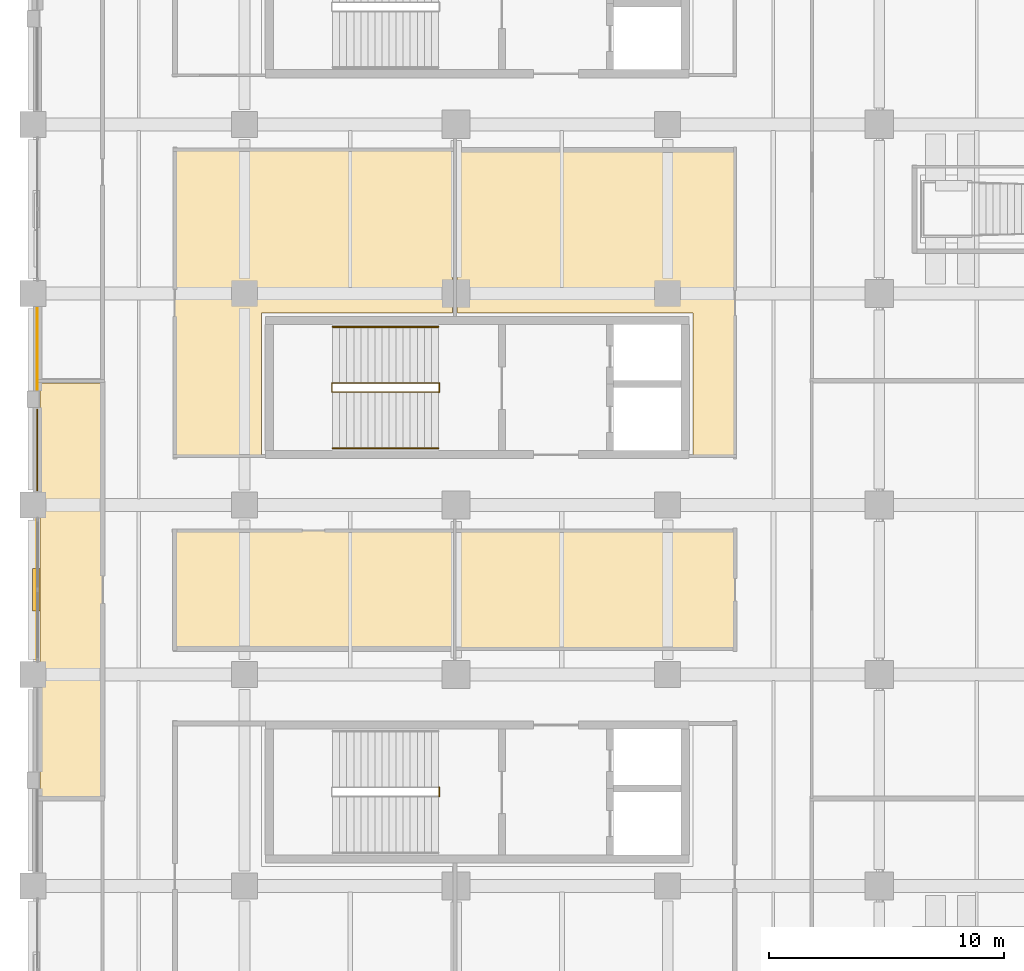
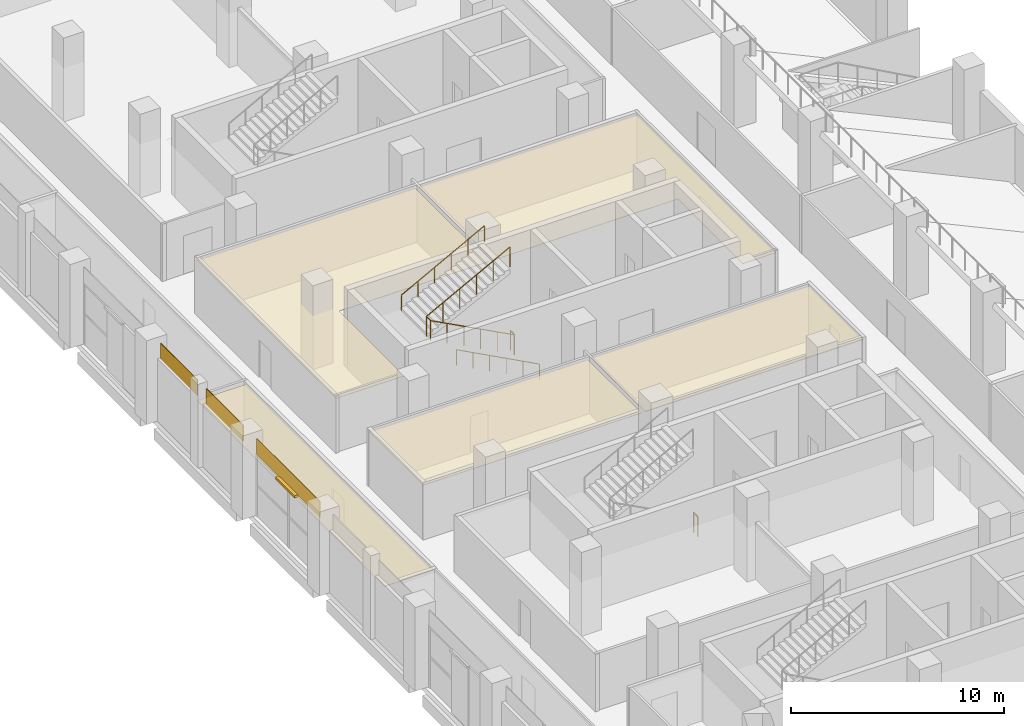
# One storey, part 81 of 100: 8 coverings, 5 railings, 1 shading device.
"""IFC4 building model written with IfcOpenShell, lengths in metres."""

from ifc_helpers import new_model, si_unit, direction, frame, origin, origin_2d, place, context, subcontext, project, spatial, polyline, rectangle, circle, outline, extrude, material, layer, layer_set, type_object, element, save


model = new_model("IFC4")

# Units and contexts
model_context = context("Model", 3, precision=1e-05, world=origin(), true_north=direction((0.0, 1.0)))
body_context = subcontext(model_context, "Body", "Model", "MODEL_VIEW")
ifc_project = project(units=[si_unit("LENGTHUNIT", "METRE"), si_unit("AREAUNIT", "SQUARE_METRE"), si_unit("VOLUMEUNIT", "CUBIC_METRE"), si_unit("PLANEANGLEUNIT", "RADIAN"), si_unit("MASSUNIT", "GRAM", prefix="KILO"), si_unit("THERMODYNAMICTEMPERATUREUNIT", "KELVIN"), si_unit("POWERUNIT", "WATT")], contexts=[model_context])

# Site, building, storey
site_placement = place(None, origin())
site = spatial("IfcSite", under=ifc_project, at=site_placement, CompositionType="ELEMENT")
building_placement = place(site_placement, origin())
building = spatial("IfcBuilding", under=site, at=building_placement, Name="Sindhuravela Promenade Stadium", CompositionType="ELEMENT")
storey_placement = place(building_placement, frame((0.0, 0.0, 4.800048828125)))
storey = spatial("IfcBuildingStorey", under=building, at=storey_placement, Name="L01", CompositionType="ELEMENT", Elevation=4.800048828125)

# Coverings
ifc_material_1 = material(Name="Acoustic mineral-fibre ceiling tile", Category="gypsum")
ifc_layer_1 = layer(ifc_material_1, 0.02490234375)
ifc_layer_set_1 = layer_set([ifc_layer_1], Name="Acoustic mineral-fibre ceiling tile")
covering_type_1 = type_object("IfcCoveringType", Name="CV-CEIL-1", PredefinedType="CEILING", material=ifc_layer_set_1)
covering_1_placement = place(storey_placement, frame((0.0, 0.0, 3.050048828125)))
element("IfcCovering", 1, at=covering_1_placement, inside=storey, type_object=covering_type_1, Name="Acoustic ceiling Supporters Refreshment Kiosk W1 3", PredefinedType="CEILING", context=body_context, shape_type="SweptSolid", body=[
    extrude(outline(polyline([(6.0400390625, 86.669921875), (6.0380859375, 86.670166015625), (6.0361328125, 86.67041015625), (6.0341796875, 86.6708984375), (6.0322265625, 86.67138671875), (6.030517578125, 86.67236328125), (6.02880859375, 86.67333984375), (6.02734375, 86.674560546875), (6.02587890625, 86.67578125), (6.0244140625, 86.67724609375), (6.0234375, 86.678955078125), (6.0224609375, 86.6806640625), (6.021484375, 86.682373046875), (6.02099609375, 86.68408203125), (6.0205078125, 86.68603515625), (6.02001953125, 86.68798828125), (6.02001953125, 86.68994140625), (6.02001953125, 99.7099609375), (6.02001953125, 99.7119140625), (6.0205078125, 99.7138671875), (6.02099609375, 99.7158203125), (6.021484375, 99.7177734375), (6.0224609375, 99.719482421875), (6.0234375, 99.72119140625), (6.0244140625, 99.72265625), (6.02587890625, 99.72412109375), (6.02734375, 99.7255859375), (6.02880859375, 99.7265625), (6.030517578125, 99.7275390625), (6.0322265625, 99.728515625), (6.0341796875, 99.72900390625), (6.0361328125, 99.7294921875), (6.0380859375, 99.72998046875), (6.0400390625, 99.72998046875), (17.830078125, 99.72998046875), (17.83203125, 99.72998046875), (17.833984375, 99.7294921875), (17.835693359375, 99.72900390625), (17.837646484375, 99.728515625), (17.83935546875, 99.7275390625), (17.841064453125, 99.7265625), (17.8427734375, 99.7255859375), (17.843994140625, 99.72412109375), (17.845458984375, 99.72265625), (17.8466796875, 99.72119140625), (17.84765625, 99.719482421875), (17.848388671875, 99.7177734375), (17.84912109375, 99.7158203125), (17.849609375, 99.7138671875), (17.849853515625, 99.7119140625), (17.85009765625, 99.7099609375), (17.85009765625, 92.800048828125), (17.849853515625, 92.798095703125), (17.849609375, 92.796142578125), (17.84912109375, 92.794189453125), (17.848388671875, 92.792236328125), (17.84765625, 92.79052734375), (17.8466796875, 92.788818359375), (17.845458984375, 92.787353515625), (17.843994140625, 92.785888671875), (17.8427734375, 92.784423828125), (17.841064453125, 92.783447265625), (17.83935546875, 92.782470703125), (17.837646484375, 92.781494140625), (17.835693359375, 92.781005859375), (17.833984375, 92.780517578125), (17.83203125, 92.780029296875), (17.830078125, 92.780029296875), (9.719970703125, 92.780029296875), (9.719970703125, 86.68994140625), (9.719970703125, 86.68798828125), (9.719482421875, 86.68603515625), (9.718994140625, 86.68408203125), (9.718505859375, 86.682373046875), (9.717529296875, 86.6806640625), (9.716552734375, 86.678955078125), (9.715576171875, 86.67724609375), (9.714111328125, 86.67578125), (9.712646484375, 86.674560546875), (9.711181640625, 86.67333984375), (9.70947265625, 86.67236328125), (9.707763671875, 86.67138671875), (9.705810546875, 86.6708984375), (9.703857421875, 86.67041015625), (9.701904296875, 86.670166015625), (9.699951171875, 86.669921875), (6.0400390625, 86.669921875)])), origin(), (0.0, 0.0, 1.0), 0.02490234375),
])
covering_2_placement = place(storey_placement, frame((0.0, 0.0, 3.050048828125)))
element("IfcCovering", 2, at=covering_2_placement, inside=storey, type_object=covering_type_1, Name="Acoustic ceiling Matchday Steward Post West 5", PredefinedType="CEILING", context=body_context, shape_type="SweptSolid", body=[
    extrude(outline(polyline([(29.860107421875, 99.72998046875), (29.862060546875, 99.72998046875), (29.864013671875, 99.7294921875), (29.86572265625, 99.72900390625), (29.86767578125, 99.728515625), (29.869384765625, 99.7275390625), (29.87109375, 99.7265625), (29.872802734375, 99.7255859375), (29.8740234375, 99.72412109375), (29.87548828125, 99.72265625), (29.876708984375, 99.72119140625), (29.877685546875, 99.719482421875), (29.87841796875, 99.7177734375), (29.879150390625, 99.7158203125), (29.879638671875, 99.7138671875), (29.8798828125, 99.7119140625), (29.8798828125, 99.7099609375), (29.8798828125, 86.68994140625), (29.8798828125, 86.68798828125), (29.879638671875, 86.68603515625), (29.879150390625, 86.68408203125), (29.87841796875, 86.682373046875), (29.877685546875, 86.6806640625), (29.876708984375, 86.678955078125), (29.87548828125, 86.67724609375), (29.8740234375, 86.67578125), (29.872802734375, 86.674560546875), (29.87109375, 86.67333984375), (29.869384765625, 86.67236328125), (29.86767578125, 86.67138671875), (29.86572265625, 86.6708984375), (29.864013671875, 86.67041015625), (29.862060546875, 86.670166015625), (29.860107421875, 86.669921875), (28.10009765625, 86.669921875), (28.097900390625, 86.670166015625), (28.09619140625, 86.67041015625), (28.09423828125, 86.6708984375), (28.09228515625, 86.67138671875), (28.090576171875, 86.67236328125), (28.0888671875, 86.67333984375), (28.08740234375, 86.674560546875), (28.0859375, 86.67578125), (28.08447265625, 86.67724609375), (28.08349609375, 86.678955078125), (28.08251953125, 86.6806640625), (28.08154296875, 86.682373046875), (28.080810546875, 86.68408203125), (28.080322265625, 86.68603515625), (28.080078125, 86.68798828125), (28.080078125, 86.68994140625), (28.080078125, 92.780029296875), (18.070068359375, 92.780029296875), (18.068115234375, 92.780029296875), (18.066162109375, 92.780517578125), (18.064208984375, 92.781005859375), (18.062255859375, 92.781494140625), (18.060546875, 92.782470703125), (18.058837890625, 92.783447265625), (18.057373046875, 92.784423828125), (18.055908203125, 92.785888671875), (18.054443359375, 92.787353515625), (18.053466796875, 92.788818359375), (18.052490234375, 92.79052734375), (18.051513671875, 92.792236328125), (18.05078125, 92.794189453125), (18.05029296875, 92.796142578125), (18.050048828125, 92.798095703125), (18.050048828125, 92.800048828125), (18.050048828125, 99.7099609375), (18.050048828125, 99.7119140625), (18.05029296875, 99.7138671875), (18.05078125, 99.7158203125), (18.051513671875, 99.7177734375), (18.052490234375, 99.719482421875), (18.053466796875, 99.72119140625), (18.054443359375, 99.72265625), (18.055908203125, 99.72412109375), (18.057373046875, 99.7255859375), (18.058837890625, 99.7265625), (18.060546875, 99.7275390625), (18.062255859375, 99.728515625), (18.064208984375, 99.72900390625), (18.066162109375, 99.7294921875), (18.068115234375, 99.72998046875), (18.070068359375, 99.72998046875), (29.860107421875, 99.72998046875)])), origin(), (0.0, 0.0, 1.0), 0.02490234375),
])
covering_3_placement = place(storey_placement, frame((0.0, 0.0, 3.050048828125)))
element("IfcCovering", 3, at=covering_3_placement, inside=storey, type_object=covering_type_1, Name="Acoustic ceiling Accessible WC West L01 7", PredefinedType="CEILING", context=body_context, shape_type="SweptSolid", body=[
    extrude(outline(polyline([(6.02001953125, 83.510009765625), (6.02001953125, 83.511962890625), (6.0205078125, 83.513916015625), (6.02099609375, 83.515869140625), (6.021484375, 83.517578125), (6.0224609375, 83.519287109375), (6.0234375, 83.52099609375), (6.0244140625, 83.522705078125), (6.02587890625, 83.524169921875), (6.02734375, 83.525390625), (6.02880859375, 83.526611328125), (6.030517578125, 83.527587890625), (6.0322265625, 83.528564453125), (6.0341796875, 83.529052734375), (6.0361328125, 83.529541015625), (6.0380859375, 83.52978515625), (6.0400390625, 83.530029296875), (17.830078125, 83.530029296875), (17.83203125, 83.52978515625), (17.833984375, 83.529541015625), (17.835693359375, 83.529052734375), (17.837646484375, 83.528564453125), (17.83935546875, 83.527587890625), (17.841064453125, 83.526611328125), (17.8427734375, 83.525390625), (17.843994140625, 83.524169921875), (17.845458984375, 83.522705078125), (17.8466796875, 83.52099609375), (17.84765625, 83.519287109375), (17.848388671875, 83.517578125), (17.84912109375, 83.515869140625), (17.849609375, 83.513916015625), (17.849853515625, 83.511962890625), (17.85009765625, 83.510009765625), (17.85009765625, 78.489990234375), (17.849853515625, 78.488037109375), (17.849609375, 78.486083984375), (17.84912109375, 78.484130859375), (17.848388671875, 78.482421875), (17.84765625, 78.480712890625), (17.8466796875, 78.47900390625), (17.845458984375, 78.477294921875), (17.843994140625, 78.475830078125), (17.8427734375, 78.474609375), (17.841064453125, 78.473388671875), (17.83935546875, 78.472412109375), (17.837646484375, 78.471435546875), (17.835693359375, 78.470947265625), (17.833984375, 78.470458984375), (17.83203125, 78.47021484375), (17.830078125, 78.469970703125), (6.0400390625, 78.469970703125), (6.0380859375, 78.47021484375), (6.0361328125, 78.470458984375), (6.0341796875, 78.470947265625), (6.0322265625, 78.471435546875), (6.030517578125, 78.472412109375), (6.02880859375, 78.473388671875), (6.02734375, 78.474609375), (6.02587890625, 78.475830078125), (6.0244140625, 78.477294921875), (6.0234375, 78.47900390625), (6.0224609375, 78.480712890625), (6.021484375, 78.482421875), (6.02099609375, 78.484130859375), (6.0205078125, 78.486083984375), (6.02001953125, 78.488037109375), (6.02001953125, 78.489990234375), (6.02001953125, 83.510009765625)])), origin(), (0.0, 0.0, 1.0), 0.02490234375),
])
covering_4_placement = place(storey_placement, frame((0.0, 0.0, 3.050048828125)))
element("IfcCovering", 4, at=covering_4_placement, inside=storey, type_object=covering_type_1, Name="Acoustic ceiling Spectator First Aid Room L01 13", PredefinedType="CEILING", context=body_context, shape_type="SweptSolid", body=[
    extrude(outline(polyline([(0.300048828125, 89.76611328125), (0.300048828125, 89.76806640625), (0.30029296875, 89.77001953125), (0.30078125, 89.771728515625), (0.301513671875, 89.773681640625), (0.302490234375, 89.775390625), (0.303466796875, 89.777099609375), (0.304443359375, 89.77880859375), (0.305908203125, 89.780029296875), (0.307373046875, 89.781494140625), (0.308837890625, 89.78271484375), (0.310546875, 89.78369140625), (0.312255859375, 89.784423828125), (0.314208984375, 89.78515625), (0.316162109375, 89.78564453125), (0.318115234375, 89.785888671875), (0.320068359375, 89.785888671875), (2.9599609375, 89.785888671875), (2.9619140625, 89.785888671875), (2.9638671875, 89.78564453125), (2.9658203125, 89.78515625), (2.9677734375, 89.784423828125), (2.969482421875, 89.78369140625), (2.97119140625, 89.78271484375), (2.97265625, 89.781494140625), (2.97412109375, 89.780029296875), (2.9755859375, 89.77880859375), (2.9765625, 89.777099609375), (2.9775390625, 89.775390625), (2.978515625, 89.773681640625), (2.97900390625, 89.771728515625), (2.9794921875, 89.77001953125), (2.97998046875, 89.76806640625), (2.97998046875, 89.76611328125), (2.97998046875, 72.23388671875), (2.97998046875, 72.23193359375), (2.9794921875, 72.22998046875), (2.97900390625, 72.228271484375), (2.978515625, 72.226318359375), (2.9775390625, 72.224609375), (2.9765625, 72.222900390625), (2.9755859375, 72.22119140625), (2.97412109375, 72.219970703125), (2.97265625, 72.218505859375), (2.97119140625, 72.21728515625), (2.969482421875, 72.21630859375), (2.9677734375, 72.215576171875), (2.9658203125, 72.21484375), (2.9638671875, 72.21435546875), (2.9619140625, 72.214111328125), (2.9599609375, 72.214111328125), (0.320068359375, 72.214111328125), (0.318115234375, 72.214111328125), (0.316162109375, 72.21435546875), (0.314208984375, 72.21484375), (0.312255859375, 72.215576171875), (0.310546875, 72.21630859375), (0.308837890625, 72.21728515625), (0.307373046875, 72.218505859375), (0.305908203125, 72.219970703125), (0.304443359375, 72.22119140625), (0.303466796875, 72.222900390625), (0.302490234375, 72.224609375), (0.301513671875, 72.226318359375), (0.30078125, 72.228271484375), (0.30029296875, 72.22998046875), (0.300048828125, 72.23193359375), (0.300048828125, 72.23388671875), (0.300048828125, 89.76611328125)])), origin(), (0.0, 0.0, 1.0), 0.02490234375),
])
ifc_layer_2 = layer(ifc_material_1, 0.044921875)
ifc_layer_set_2 = layer_set([ifc_layer_2], Name="Acoustic mineral-fibre ceiling tile")
covering_type_2 = type_object("IfcCoveringType", Name="CV-CEIL-2", PredefinedType="CEILING", material=ifc_layer_set_2)
covering_5_placement = place(storey_placement, frame((0.0, 0.0, 3.050048828125)))
element("IfcCovering", 5, at=covering_5_placement, inside=storey, type_object=covering_type_2, Name="Acoustic ceiling Public Toilet Block West L01 8", PredefinedType="CEILING", context=body_context, shape_type="SweptSolid", body=[
    extrude(outline(polyline([(29.860107421875, 83.530029296875), (29.862060546875, 83.52978515625), (29.864013671875, 83.529541015625), (29.86572265625, 83.529052734375), (29.86767578125, 83.528564453125), (29.869384765625, 83.527587890625), (29.87109375, 83.526611328125), (29.872802734375, 83.525390625), (29.8740234375, 83.524169921875), (29.87548828125, 83.522705078125), (29.876708984375, 83.52099609375), (29.877685546875, 83.519287109375), (29.87841796875, 83.517578125), (29.879150390625, 83.515869140625), (29.879638671875, 83.513916015625), (29.8798828125, 83.511962890625), (29.8798828125, 83.510009765625), (29.8798828125, 78.489990234375), (29.8798828125, 78.488037109375), (29.879638671875, 78.486083984375), (29.879150390625, 78.484130859375), (29.87841796875, 78.482421875), (29.877685546875, 78.480712890625), (29.876708984375, 78.47900390625), (29.87548828125, 78.477294921875), (29.8740234375, 78.475830078125), (29.872802734375, 78.474609375), (29.87109375, 78.473388671875), (29.869384765625, 78.472412109375), (29.86767578125, 78.471435546875), (29.86572265625, 78.470947265625), (29.864013671875, 78.470458984375), (29.862060546875, 78.47021484375), (29.860107421875, 78.469970703125), (18.070068359375, 78.469970703125), (18.068115234375, 78.47021484375), (18.066162109375, 78.470458984375), (18.064208984375, 78.470947265625), (18.062255859375, 78.471435546875), (18.060546875, 78.472412109375), (18.058837890625, 78.473388671875), (18.057373046875, 78.474609375), (18.055908203125, 78.475830078125), (18.054443359375, 78.477294921875), (18.053466796875, 78.47900390625), (18.052490234375, 78.480712890625), (18.051513671875, 78.482421875), (18.05078125, 78.484130859375), (18.05029296875, 78.486083984375), (18.050048828125, 78.488037109375), (18.050048828125, 78.489990234375), (18.050048828125, 83.510009765625), (18.050048828125, 83.511962890625), (18.05029296875, 83.513916015625), (18.05078125, 83.515869140625), (18.051513671875, 83.517578125), (18.052490234375, 83.519287109375), (18.053466796875, 83.52099609375), (18.054443359375, 83.522705078125), (18.055908203125, 83.524169921875), (18.057373046875, 83.525390625), (18.058837890625, 83.526611328125), (18.060546875, 83.527587890625), (18.062255859375, 83.528564453125), (18.064208984375, 83.529052734375), (18.066162109375, 83.529541015625), (18.068115234375, 83.52978515625), (18.070068359375, 83.530029296875), (29.860107421875, 83.530029296875)])), origin(), (0.0, 0.0, 1.0), 0.044921875),
])
ifc_material_2 = material(Name="Polychrome trencadis ceramic mosaic", Category="masonry")
ifc_layer_3 = layer(ifc_material_2, 0.034912109375)
ifc_layer_set_3 = layer_set([ifc_layer_3], Name="Polychrome trencadis ceramic mosaic")
covering_type_3 = type_object("IfcCoveringType", Name="CV-TRENC-1", PredefinedType="CLADDING", material=ifc_layer_set_3)
covering_6_placement = place(storey_placement, frame((0.179931640625, 81.0, 3.55517578125), z_axis=(0.0, 0.0, 1.0), x_axis=(0.0, 1.0, 0.0)))
element("IfcCovering", 6, at=covering_6_placement, inside=storey, type_object=covering_type_3, Name="Trencadis ceramic mosaic spandrel frieze WEST L01-20", PredefinedType="CLADDING", context=body_context, shape_type="SweptSolid", body=[
    extrude(rectangle(XDim=5.969970703125, YDim=0.034912109375, at=origin_2d()), origin(), (0.0, 0.0, 1.0), 0.905029296875),
])
covering_7_placement = place(storey_placement, frame((0.179931640625, 91.25, 3.55517578125), z_axis=(0.0, 0.0, 1.0), x_axis=(0.0, 1.0, 0.0)))
element("IfcCovering", 7, at=covering_7_placement, inside=storey, type_object=covering_type_3, Name="Trencadis ceramic mosaic spandrel frieze WEST L01-22", PredefinedType="CLADDING", context=body_context, shape_type="SweptSolid", body=[
    extrude(rectangle(XDim=3.469970703125, YDim=0.034912109375, at=origin_2d()), origin(), (0.0, 0.0, 1.0), 0.905029296875),
])
ifc_layer_4 = layer(ifc_material_2, 0.050048828125)
ifc_layer_set_4 = layer_set([ifc_layer_4], Name="Polychrome trencadis ceramic mosaic")
covering_type_4 = type_object("IfcCoveringType", Name="CV-TRENC-2", PredefinedType="CLADDING", material=ifc_layer_set_4)
covering_8_placement = place(storey_placement, frame((0.179931640625, 86.949951171875, 3.55517578125), z_axis=(0.0, 0.0, 1.0), x_axis=(0.0, 1.0, 0.0)))
element("IfcCovering", 8, at=covering_8_placement, inside=storey, type_object=covering_type_4, Name="Trencadis ceramic mosaic spandrel frieze WEST L01-21", PredefinedType="CLADDING", context=body_context, shape_type="SweptSolid", body=[
    extrude(rectangle(XDim=3.469970703125, YDim=0.050048828125, at=origin_2d()), origin(), (0.0, 0.0, 1.0), 0.905029296875),
])

# Railings
ifc_material_3 = material(Name="Architectural wrought steel E350", Category="steel")
railing_type_1 = type_object("IfcRailingType", Name="RL-GRD-1150", PredefinedType="GUARDRAIL", material=ifc_material_3)
railing_1_placement = place(storey_placement, frame((17.280029296875, 72.2099609375, 0.0)))
element("IfcRailing", 9, at=railing_1_placement, inside=storey, type_object=railing_type_1, Name="Stair ST02 landing well slot guard (L01)", PredefinedType="GUARDRAIL", context=body_context, shape_type="SweptSolid", body=[
    extrude(circle(Radius=0.02392578125, at=origin_2d()), frame((0.0, 0.0, 1.1259765625), z_axis=(0.0, 1.0, 0.0), x_axis=(-1.0, 0.0, 0.0)), (0.0, 0.0, 1.0), 0.380126953125),
    extrude(circle(Radius=0.02099609375, at=origin_2d()), origin(), (0.0, 0.0, 1.0), 1.101806640625),
    extrude(circle(Radius=0.02099609375, at=origin_2d()), frame((0.0, 0.380126953125, 0.0)), (0.0, 0.0, 1.0), 1.101806640625),
])
railing_2_placement = place(storey_placement, frame((17.25, 89.409912109375, 0.0)))
element("IfcRailing", 10, at=railing_2_placement, inside=storey, type_object=railing_type_1, Name="Stair ST03 inner well guard (L01)", PredefinedType="GUARDRAIL", context=body_context, shape_type="SweptSolid", body=[
    extrude(circle(Radius=0.02392578125, at=origin_2d()), frame((0.0, 0.0, 1.1259765625), z_axis=(-0.8836546633431795, 0.0, 0.46813933390802775), x_axis=(0.0, -1.0, 0.0)), (0.0, 0.0, 1.0), 5.12646484375),
    extrude(circle(Radius=0.02392578125, at=origin_2d()), frame((-4.530029296875, 0.0, 3.52587890625), z_axis=(0.0, 1.0, 0.0), x_axis=(-1.0, 0.0, 0.0)), (0.0, 0.0, 1.0), 0.380126953125),
    extrude(circle(Radius=0.02392578125, at=origin_2d()), frame((-4.530029296875, 0.380126953125, 3.52587890625), z_axis=(0.8836349624059475, 0.0, 0.46817651928929505), x_axis=(0.0, 1.0, 0.0)), (0.0, 0.0, 1.0), 5.12646484375),
    extrude(circle(Radius=0.02099609375, at=origin_2d()), origin(), (0.0, 0.0, 1.0), 1.101806640625),
    extrude(circle(Radius=0.02099609375, at=origin_2d()), frame((-0.906005859375, 0.0, 0.47998046875)), (0.0, 0.0, 1.0), 1.101806640625),
    extrude(circle(Radius=0.02099609375, at=origin_2d()), frame((-1.81201171875, 0.0, 0.9599609375)), (0.0, 0.0, 1.0), 1.101806640625),
    extrude(circle(Radius=0.02099609375, at=origin_2d()), frame((-2.718017578125, 0.0, 1.43994140625)), (0.0, 0.0, 1.0), 1.101806640625),
    extrude(circle(Radius=0.02099609375, at=origin_2d()), frame((-3.6240234375, 0.0, 1.919921875)), (0.0, 0.0, 1.0), 1.101806640625),
    extrude(circle(Radius=0.02099609375, at=origin_2d()), frame((-4.530029296875, 0.0, 2.39990234375)), (0.0, 0.0, 1.0), 1.101806640625),
    extrude(circle(Radius=0.02099609375, at=origin_2d()), frame((-4.530029296875, 0.380126953125, 2.39990234375)), (0.0, 0.0, 1.0), 1.101806640625),
    extrude(circle(Radius=0.02099609375, at=origin_2d()), frame((-3.6240234375, 0.380126953125, 2.8798828125)), (0.0, 0.0, 1.0), 1.101806640625),
    extrude(circle(Radius=0.02099609375, at=origin_2d()), frame((-2.718017578125, 0.380126953125, 3.35986328125)), (0.0, 0.0, 1.0), 1.101806640625),
    extrude(circle(Radius=0.02099609375, at=origin_2d()), frame((-1.81201171875, 0.380126953125, 3.840087890625)), (0.0, 0.0, 1.0), 1.101806640625),
    extrude(circle(Radius=0.02099609375, at=origin_2d()), frame((-0.906005859375, 0.380126953125, 4.320068359375)), (0.0, 0.0, 1.0), 1.101806640625),
    extrude(circle(Radius=0.02099609375, at=origin_2d()), frame((0.0, 0.380126953125, 4.800048828125)), (0.0, 0.0, 1.0), 1.101806640625),
])
railing_3_placement = place(storey_placement, frame((17.280029296875, 89.409912109375, 0.0)))
element("IfcRailing", 11, at=railing_3_placement, inside=storey, type_object=railing_type_1, Name="Stair ST03 landing well slot guard (L01)", PredefinedType="GUARDRAIL", context=body_context, shape_type="SweptSolid", body=[
    extrude(circle(Radius=0.02392578125, at=origin_2d()), frame((0.0, 0.0, 1.1259765625), z_axis=(0.0, 1.0, 0.0), x_axis=(-1.0, 0.0, 0.0)), (0.0, 0.0, 1.0), 0.380126953125),
    extrude(circle(Radius=0.02099609375, at=origin_2d()), origin(), (0.0, 0.0, 1.0), 1.101806640625),
    extrude(circle(Radius=0.02099609375, at=origin_2d()), frame((0.0, 0.380126953125, 0.0)), (0.0, 0.0, 1.0), 1.101806640625),
])
railing_type_2 = type_object("IfcRailingType", Name="RL-HND-920", PredefinedType="HANDRAIL", material=ifc_material_3)
railing_4_placement = place(storey_placement, frame((17.25, 87.02001953125, 0.0)))
element("IfcRailing", 12, at=railing_4_placement, inside=storey, type_object=railing_type_2, Name="Stair ST03 lower wall handrail (L01)", PredefinedType="HANDRAIL", context=body_context, shape_type="SweptSolid", body=[
    extrude(circle(Radius=0.02392578125, at=origin_2d()), frame((0.0, 0.0, 0.89599609375), z_axis=(-0.8823608919668723, 0.0, 0.4705733272588083), x_axis=(0.0, -1.0, 0.0)), (0.0, 0.0, 1.0), 5.099853515625),
    extrude(circle(Radius=0.02099609375, at=origin_2d()), origin(), (0.0, 0.0, 1.0), 0.871826171875),
    extrude(circle(Radius=0.02099609375, at=origin_2d()), frame((-0.89990234375, 0.0, 0.47998046875)), (0.0, 0.0, 1.0), 0.871826171875),
    extrude(circle(Radius=0.02099609375, at=origin_2d()), frame((-1.800048828125, 0.0, 0.9599609375)), (0.0, 0.0, 1.0), 0.871826171875),
    extrude(circle(Radius=0.02099609375, at=origin_2d()), frame((-2.699951171875, 0.0, 1.43994140625)), (0.0, 0.0, 1.0), 0.871826171875),
    extrude(circle(Radius=0.02099609375, at=origin_2d()), frame((-3.60009765625, 0.0, 1.919921875)), (0.0, 0.0, 1.0), 0.871826171875),
    extrude(circle(Radius=0.02099609375, at=origin_2d()), frame((-4.5, 0.0, 2.39990234375)), (0.0, 0.0, 1.0), 0.871826171875),
])
railing_5_placement = place(storey_placement, frame((12.75, 92.179931640625, 2.39990234375)))
element("IfcRailing", 13, at=railing_5_placement, inside=storey, type_object=railing_type_2, Name="Stair ST03 upper wall handrail (L01)", PredefinedType="HANDRAIL", context=body_context, shape_type="SweptSolid", body=[
    extrude(circle(Radius=0.02392578125, at=origin_2d()), frame((0.0, 0.0, 0.89599609375), z_axis=(0.8823410147872734, 0.0, 0.47061059659145427), x_axis=(0.0, 1.0, 0.0)), (0.0, 0.0, 1.0), 5.10009765625),
    extrude(circle(Radius=0.02099609375, at=origin_2d()), origin(), (0.0, 0.0, 1.0), 0.871826171875),
    extrude(circle(Radius=0.02099609375, at=origin_2d()), frame((0.89990234375, 0.0, 0.47998046875)), (0.0, 0.0, 1.0), 0.871826171875),
    extrude(circle(Radius=0.02099609375, at=origin_2d()), frame((1.800048828125, 0.0, 0.9599609375)), (0.0, 0.0, 1.0), 0.871826171875),
    extrude(circle(Radius=0.02099609375, at=origin_2d()), frame((2.699951171875, 0.0, 1.440185546875)), (0.0, 0.0, 1.0), 0.871826171875),
    extrude(circle(Radius=0.02099609375, at=origin_2d()), frame((3.60009765625, 0.0, 1.920166015625)), (0.0, 0.0, 1.0), 0.871826171875),
    extrude(circle(Radius=0.02099609375, at=origin_2d()), frame((4.5, 0.0, 2.400146484375)), (0.0, 0.0, 1.0), 0.871826171875),
])

# Shading device
ifc_material_4 = material(Name="Perforated terracotta celosia brick (15 MPa)", Category="masonry")
shading_device_type = type_object("IfcShadingDeviceType", Name="SH-JAL-2", PredefinedType="JALOUSIE", material=ifc_material_4)
shading_device_placement = place(storey_placement, frame((0.139892578125, 81.0, 3.4501953125), z_axis=(0.0, 0.0, 1.0), x_axis=(0.0, 1.0, 0.0)))
element("IfcShadingDevice", 14, at=shading_device_placement, inside=storey, type_object=shading_device_type, Name="Terracotta solar shading louvre WEST L01-3", PredefinedType="JALOUSIE", context=body_context, shape_type="SweptSolid", body=[
    extrude(rectangle(XDim=1.800048828125, YDim=0.320068359375, at=origin_2d()), origin(), (0.0, 0.0, 1.0), 0.139892578125),
])

save(model, "model.ifc")
